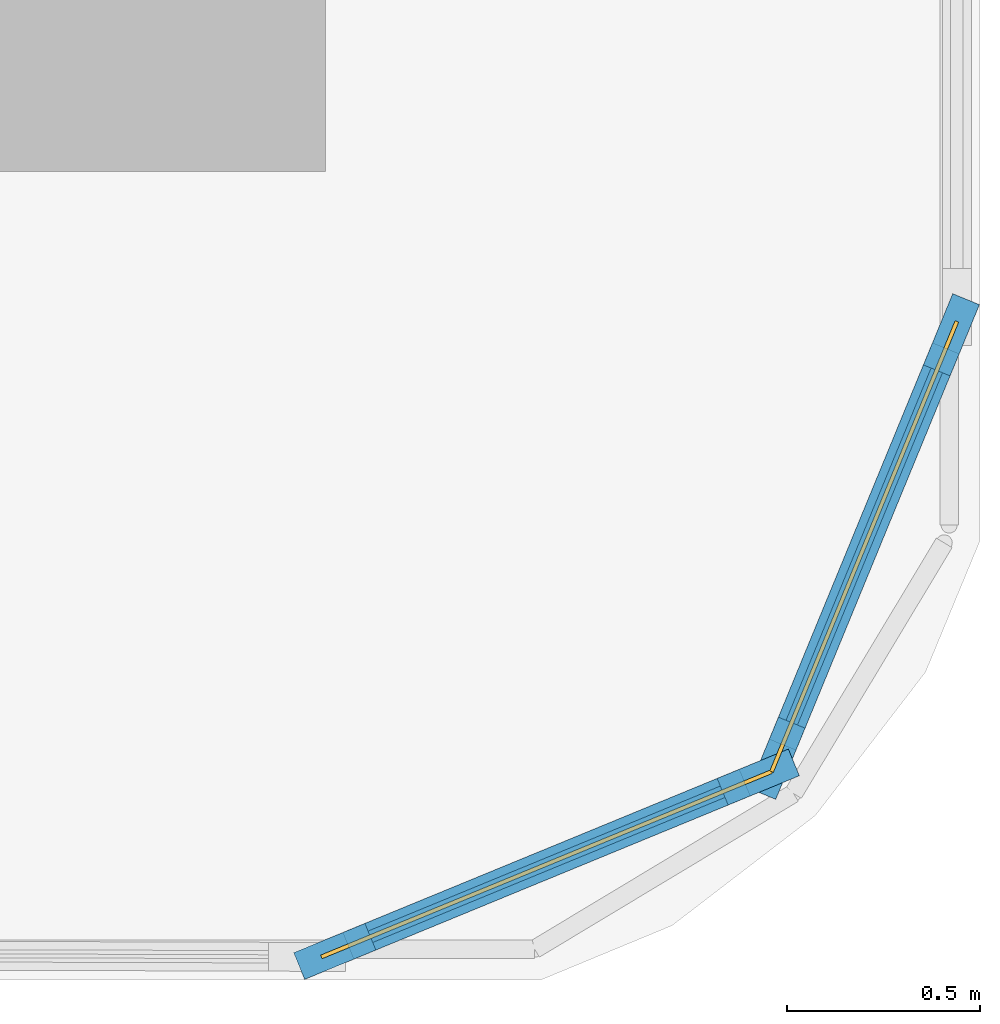
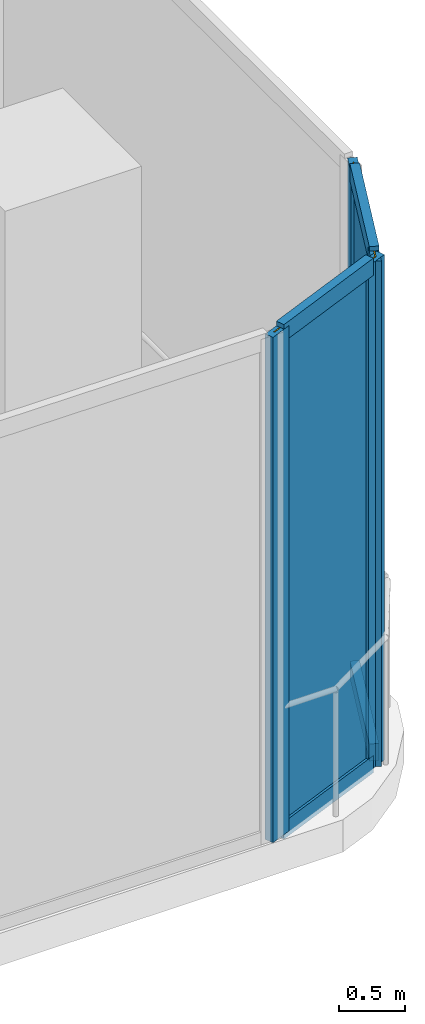
# One storey, part 19 of 31: 8 members, 2 curtain walls, 2 plates.
"""IFC4 building model written with IfcOpenShell, lengths in metres."""

from ifc_helpers import new_model, si_unit, direction, frame, frame_2d, origin, origin_2d, place, context, subcontext, project, spatial, rectangle, extrude, material, layer, layer_set, material_profile, profile_set, type_object, element, aggregate, save


model = new_model("IFC4")

# Units and contexts
model_context = context("Model", 3, precision=1e-05, world=origin(), true_north=direction((0.0, 1.0)))
body_context = subcontext(model_context, "Body", "Model", "MODEL_VIEW")
ifc_project = project(units=[si_unit("LENGTHUNIT", "METRE"), si_unit("AREAUNIT", "SQUARE_METRE"), si_unit("VOLUMEUNIT", "CUBIC_METRE"), si_unit("PLANEANGLEUNIT", "RADIAN"), si_unit("MASSUNIT", "GRAM", prefix="KILO")], contexts=[model_context])

# Member
ifc_material_1 = material(Name="Anodised Bronze Aluminium 6063-T6", Category="aluminium")
ifc_material_profile_1 = material_profile(ifc_material_1, rectangle(XDim=0.074951171875, YDim=0.199951171875, at=origin_2d()))
ifc_profile_set_1 = profile_set([ifc_material_profile_1], Name="Anodised Bronze Aluminium 6063-T6")
member_type_1 = type_object("IfcMemberType", Name="CW-POD Mullion 75x200", PredefinedType="MULLION", material=ifc_profile_set_1)
site_placement = place(None, origin())
building_placement = place(site_placement, origin())
storey_placement = place(building_placement, frame((0.0, 0.0, 6.0)))
member_1_placement = place(storey_placement, frame((36.42578125, -25.82421875, 0.0), z_axis=(0.0, 0.0, 1.0), x_axis=(0.924715766813, -0.380658312148, 0.0)))
member_1 = element("IfcMember", 1, at=member_1_placement, type_object=member_type_1, Name="CW-POD mullion 1", PredefinedType="MULLION", context=body_context, shape_type="SweptSolid", body=[
    extrude(rectangle(XDim=0.074951171875, YDim=0.199951171875, at=origin_2d()), origin(), (0.0, 0.0, 1.0), 4.699951171875),
])

member_2_placement = place(storey_placement, frame((35.972900390625, -26.924072265625, 0.0), z_axis=(0.0, 0.0, 1.0), x_axis=(0.924715766813, -0.380658312148, 0.0)))
member_2 = element("IfcMember", 2, at=member_2_placement, type_object=member_type_1, Name="CW-POD mullion 2", PredefinedType="MULLION", context=body_context, shape_type="SweptSolid", body=[
    extrude(rectangle(XDim=0.074951171875, YDim=0.199951171875, at=origin_2d()), origin(), (0.0, 0.0, 1.0), 4.699951171875),
])

member_3_placement = place(storey_placement, frame((35.924072265625, -26.972900390625, 0.0), z_axis=(0.0, 0.0, 1.0), x_axis=(0.380658312148, -0.924715766813, 0.0)))
member_3 = element("IfcMember", 3, at=member_3_placement, type_object=member_type_1, Name="CW-POD mullion 1", PredefinedType="MULLION", context=body_context, shape_type="SweptSolid", body=[
    extrude(rectangle(XDim=0.074951171875, YDim=0.199951171875, at=origin_2d()), origin(), (0.0, 0.0, 1.0), 4.699951171875),
])

member_4_placement = place(storey_placement, frame((34.82421875, -27.42578125, 0.0), z_axis=(0.0, 0.0, 1.0), x_axis=(0.380658312148, -0.924715766813, 0.0)))
member_4 = element("IfcMember", 4, at=member_4_placement, type_object=member_type_1, Name="CW-POD mullion 2", PredefinedType="MULLION", context=body_context, shape_type="SweptSolid", body=[
    extrude(rectangle(XDim=0.074951171875, YDim=0.199951171875, at=origin_2d()), origin(), (0.0, 0.0, 1.0), 4.699951171875),
])

ifc_material_2 = material(Name="Anodised Bronze Aluminium 6063-T6", Category="aluminium")
ifc_material_profile_2 = material_profile(ifc_material_2, rectangle(XDim=0.074951171875, YDim=0.159912109375, at=origin_2d()))
ifc_profile_set_2 = profile_set([ifc_material_profile_2], Name="Anodised Bronze Aluminium 6063-T6")
member_type_2 = type_object("IfcMemberType", Name="CW-POD Transom 75x160", PredefinedType="USERDEFINED", material=ifc_profile_set_2)
member_5_placement = place(storey_placement, frame((36.411376953125, -25.85888671875, 0.03759765625), z_axis=(-0.380551452849, -0.924759748115, 0.0), x_axis=(0.924759748115, -0.380551452849, 0.0)))
member_5 = element("IfcMember", 5, at=member_5_placement, type_object=member_type_2, Name="CW-POD transom 1.1", ObjectType="TRANSOM", PredefinedType="USERDEFINED", context=body_context, shape_type="SweptSolid", body=[
    extrude(rectangle(XDim=0.074951171875, YDim=0.159912109375, at=origin_2d()), origin(), (0.0, 0.0, 1.0), 1.1142578125),
])

member_6_placement = place(storey_placement, frame((36.411376953125, -25.85888671875, 4.66259765625), z_axis=(-0.380551452849, -0.924759748115, 0.0), x_axis=(0.924759748115, -0.380551452849, 0.0)))
member_6 = element("IfcMember", 6, at=member_6_placement, type_object=member_type_2, Name="CW-POD transom 1.2", ObjectType="TRANSOM", PredefinedType="USERDEFINED", context=body_context, shape_type="SweptSolid", body=[
    extrude(rectangle(XDim=0.074951171875, YDim=0.159912109375, at=origin_2d()), origin(), (0.0, 0.0, 1.0), 1.1142578125),
])

member_7_placement = place(storey_placement, frame((35.889404296875, -26.9873046875, 0.03759765625), z_axis=(-0.924759748115, -0.380551452849, 0.0), x_axis=(0.380551452849, -0.924759748115, 0.0)))
member_7 = element("IfcMember", 7, at=member_7_placement, type_object=member_type_2, Name="CW-POD transom 1.1", ObjectType="TRANSOM", PredefinedType="USERDEFINED", context=body_context, shape_type="SweptSolid", body=[
    extrude(rectangle(XDim=0.074951171875, YDim=0.159912109375, at=origin_2d()), origin(), (0.0, 0.0, 1.0), 1.1142578125),
])

member_8_placement = place(storey_placement, frame((35.889404296875, -26.9873046875, 4.66259765625), z_axis=(-0.924759748115, -0.380551452849, 0.0), x_axis=(0.380551452849, -0.924759748115, 0.0)))
member_8 = element("IfcMember", 8, at=member_8_placement, type_object=member_type_2, Name="CW-POD transom 1.2", ObjectType="TRANSOM", PredefinedType="USERDEFINED", context=body_context, shape_type="SweptSolid", body=[
    extrude(rectangle(XDim=0.074951171875, YDim=0.159912109375, at=origin_2d()), origin(), (0.0, 0.0, 1.0), 1.1142578125),
])

# Plate
ifc_material_3 = material(Name="Low-E Solar Control Laminated Glass", Category="glass")
ifc_layer_1 = layer(ifc_material_3, 0.031982421875, Name="Low-E Solar Control Laminated Glass")
ifc_layer_set_1 = layer_set([ifc_layer_1], Name="Low-E Solar Control Laminated Glass")
plate_type = type_object("IfcPlateType", Name="CW-POD Low-E Double Glazed Panel 32mm", PredefinedType="CURTAIN_PANEL", material=ifc_layer_set_1)
plate_1_placement = place(storey_placement, frame((36.199462890625, -26.3740234375, 0.0751953125), z_axis=(0.0, 0.0, 1.0), x_axis=(-0.380658312148, -0.924715766813, 0.0)))
plate_1 = element("IfcPlate", 9, at=plate_1_placement, type_object=plate_type, Name="CW-POD panel 1.1", PredefinedType="CURTAIN_PANEL", context=body_context, shape_type="SweptSolid", body=[
    extrude(rectangle(XDim=1.114501953125, YDim=0.031982421875, at=origin_2d()), origin(), (0.0, 0.0, 1.0), 4.550048828125),
])

plate_2_placement = place(storey_placement, frame((35.3740234375, -27.199462890625, 0.0751953125), z_axis=(0.0, 0.0, 1.0), x_axis=(-0.924715766813, -0.380658312148, 0.0)))
plate_2 = element("IfcPlate", 10, at=plate_2_placement, type_object=plate_type, Name="CW-POD panel 1.1", PredefinedType="CURTAIN_PANEL", context=body_context, shape_type="SweptSolid", body=[
    extrude(rectangle(XDim=1.114501953125, YDim=0.031982421875, at=origin_2d()), origin(), (0.0, 0.0, 1.0), 4.550048828125),
])

# Site, building, storey
site = spatial("IfcSite", under=ifc_project, at=site_placement, CompositionType="ELEMENT")
building = spatial("IfcBuilding", under=site, at=building_placement, Name="Khairoan Windgate Tower", CompositionType="ELEMENT")
storey = spatial("IfcBuildingStorey", under=building, at=storey_placement, Name="L02", CompositionType="ELEMENT", Elevation=6.0)

# Curtain wall
ifc_material_4 = material(Name="Anodised Bronze Aluminium 6063-T6", Category="aluminium")
ifc_layer_2 = layer(ifc_material_4, 0.199951171875, Name="Anodised Bronze Aluminium 6063-T6")
ifc_layer_set_2 = layer_set([ifc_layer_2], Name="Anodised Bronze Aluminium 6063-T6")
curtain_wall_type = type_object("IfcCurtainWallType", Name="Podium Arch Galleria Curtain Wall CW-POD", PredefinedType="NOTDEFINED", material=ifc_layer_set_2)
curtain_wall_1_placement = place(storey_placement, frame((36.43994140625, -25.78955078125, 0.0), z_axis=(0.0, 0.0, 1.0), x_axis=(-0.380594408119, -0.92474207026, 0.0)))
curtain_wall_1 = element("IfcCurtainWall", 11, at=curtain_wall_1_placement, inside=storey, type_object=curtain_wall_type, Name="L02 Sculpted Podium Wing Curtain Wall 2.6", PredefinedType="NOTDEFINED", context=body_context, shape_type="SweptSolid", body=[
    extrude(rectangle(XDim=1.264404296875, YDim=0.010009765625, at=frame_2d((0.63232421875, 0.0))), origin(), (0.0, 0.0, 1.0), 4.699951171875),
])

aggregate(curtain_wall_1, [member_1, member_2, member_5, member_6, plate_1])

curtain_wall_2_placement = place(storey_placement, frame((35.958740234375, -26.958740234375, 0.0), z_axis=(0.0, 0.0, 1.0), x_axis=(-0.92474207026, -0.380594408119, 0.0)))
curtain_wall_2 = element("IfcCurtainWall", 12, at=curtain_wall_2_placement, inside=storey, type_object=curtain_wall_type, Name="L02 Sculpted Podium Wing Curtain Wall 2.7", PredefinedType="NOTDEFINED", context=body_context, shape_type="SweptSolid", body=[
    extrude(rectangle(XDim=1.264404296875, YDim=0.010009765625, at=frame_2d((0.63232421875, 0.0))), origin(), (0.0, 0.0, 1.0), 4.699951171875),
])

aggregate(curtain_wall_2, [member_3, member_4, member_7, member_8, plate_2])

save(model, "model.ifc")
